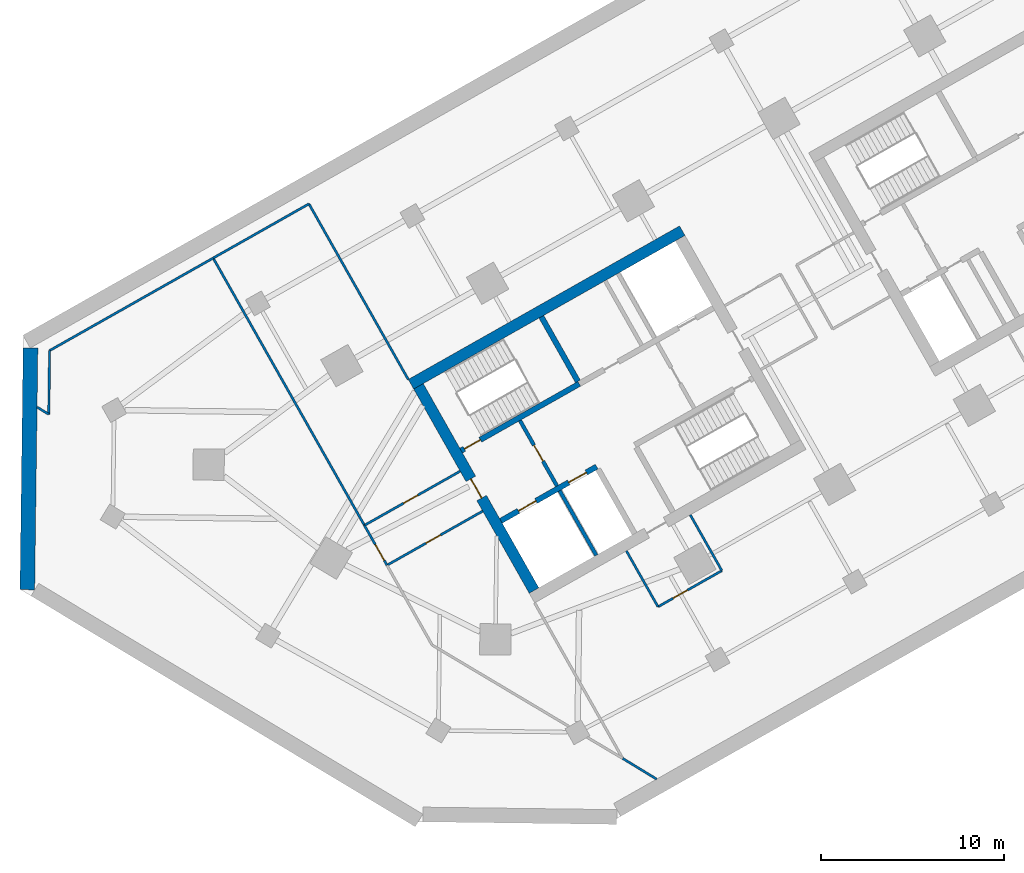
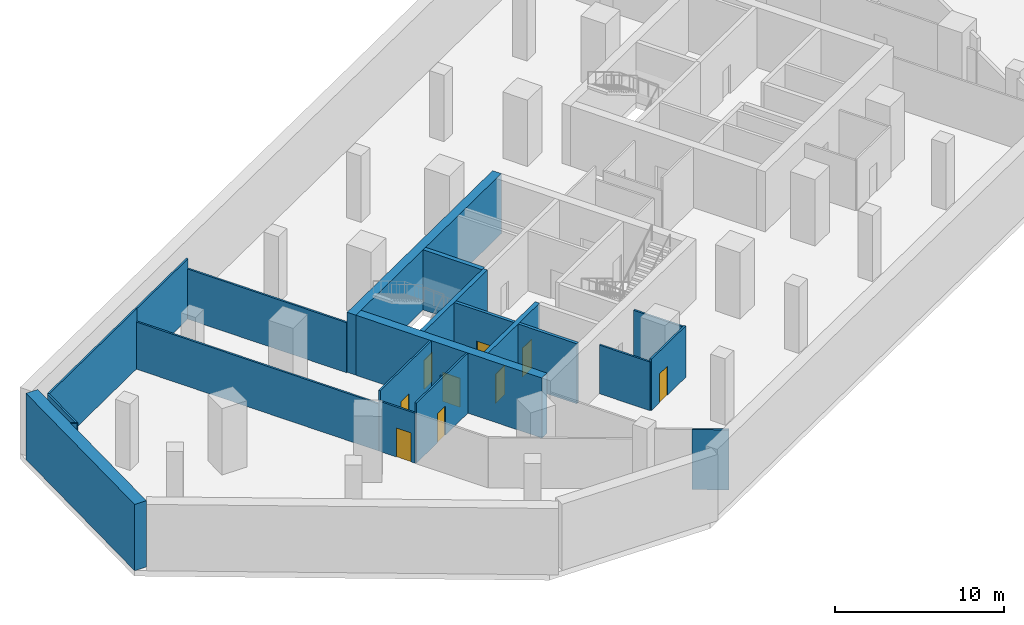
# One storey, part 5 of 13: 21 walls, 9 doors, 9 openings.
"""IFC4 building model written with IfcOpenShell, lengths in metres."""

from ifc_helpers import new_model, si_unit, direction, frame, frame_2d, origin, place, context, subcontext, project, spatial, rectangle, extrude, material, layer, layer_set, type_object, element, fill, save


model = new_model("IFC4")

# Units and contexts
model_context = context("Model", 3, precision=1e-05, world=origin(), true_north=direction((0.0, 1.0)))
body_context = subcontext(model_context, "Body", "Model", "MODEL_VIEW")
ifc_project = project(units=[si_unit("LENGTHUNIT", "METRE"), si_unit("AREAUNIT", "SQUARE_METRE"), si_unit("VOLUMEUNIT", "CUBIC_METRE"), si_unit("PLANEANGLEUNIT", "RADIAN"), si_unit("MASSUNIT", "GRAM", prefix="KILO")], contexts=[model_context])

# Site, building, storey
site_placement = place(None, origin())
site = spatial("IfcSite", under=ifc_project, at=site_placement, CompositionType="ELEMENT")
building_placement = place(site_placement, origin())
building = spatial("IfcBuilding", under=site, at=building_placement, Name="Binnacle Exchange Tower", CompositionType="ELEMENT")
storey_placement = place(building_placement, frame((0.0, 0.0, -4.800048828125)))
storey = spatial("IfcBuildingStorey", under=building, at=storey_placement, Name="B1", CompositionType="ELEMENT", Elevation=-4.800048828125)

# Wall
ifc_material_1 = material(Name="Concrete C40/50", Category="concrete")
ifc_layer_1 = layer(ifc_material_1, 0.800048828125)
ifc_layer_set_1 = layer_set([ifc_layer_1], Name="Basement retaining wall 800 Concrete C40/50")
wall_type_1 = type_object("IfcWallType", Name="Basement retaining wall 800 Concrete C40/50", PredefinedType="SOLIDWALL", material=ifc_layer_set_1)
wall_1_placement = place(storey_placement, frame((-67.210693359375, 43.383544921875, 0.0), z_axis=(0.0, 0.0, 1.0), x_axis=(-0.01309437996, -0.999914264931, 0.0)))
element("IfcWall", 1, at=wall_1_placement, inside=storey, type_object=wall_type_1, Name="S:RW:B1:05", PredefinedType="SOLIDWALL", context=body_context, shape_type="SweptSolid", body=[
    extrude(rectangle(XDim=13.181884765625, YDim=0.800048828125, at=frame_2d((6.5908203125, 0.0))), origin(), (0.0, 0.0, 1.0), 4.800048828125),
])

# Wall, openings, doors
ifc_material_2 = material(Name="Concrete C70/85", Category="concrete")
ifc_layer_2 = layer(ifc_material_2, 0.300048828125)
ifc_layer_set_2 = layer_set([ifc_layer_2], Name="Core wall - front 300")
wall_type_2 = type_object("IfcWallType", Name="Core wall - front 300", PredefinedType="SOLIDWALL", material=ifc_layer_set_2)
wall_2_placement = place(storey_placement, frame((-41.555908203125, 33.9609375, 0.0), z_axis=(0.0, 0.0, 1.0), x_axis=(0.870343731308, 0.492444706919, 0.0)))
wall_2 = element("IfcWall", 2, at=wall_2_placement, inside=storey, type_object=wall_type_2, Name="Core wall CRWA2", PredefinedType="SOLIDWALL", context=body_context, shape_type="SweptSolid", body=[
    extrude(rectangle(XDim=5.999755859375, YDim=0.300048828125, at=frame_2d((3.0, 0.0))), origin(), (0.0, 0.0, 1.0), 4.35009765625),
])
opening_1_placement = place(wall_2_placement, frame((1.099853515625, 0.0, 0.0)))
opening_1 = element("IfcOpeningElement", 3, at=opening_1_placement, cuts=wall_2, Name="Opening LD12", PredefinedType="OPENING", context=body_context, shape_type="SweptSolid", body=[
    extrude(rectangle(XDim=1.10009765625, YDim=2.10009765625, at=frame_2d((0.550048828125, 1.050048828125))), frame((0.0, 0.159912109375, 0.0), z_axis=(0.0, -1.0, 0.0), x_axis=(1.0, 0.0, 0.0)), (0.0, 0.0, 1.0), 0.320068359375),
])
opening_2_placement = place(wall_2_placement, frame((4.25, 0.0, 0.0)))
opening_2 = element("IfcOpeningElement", 4, at=opening_2_placement, cuts=wall_2, Name="Opening LD8", PredefinedType="OPENING", context=body_context, shape_type="SweptSolid", body=[
    extrude(rectangle(XDim=1.10009765625, YDim=2.10009765625, at=frame_2d((0.550048828125, 1.050048828125))), frame((0.0, 0.159912109375, 0.0), z_axis=(0.0, -1.0, 0.0), x_axis=(1.0, 0.0, 0.0)), (0.0, 0.0, 1.0), 0.320068359375),
])
ifc_material_3 = material(Name="Steel door leaf", Category="steel")
door_type_1 = type_object("IfcDoorType", Name="Fire door - lift landing 1100", OperationType="NOTDEFINED", PredefinedType="DOOR", material=ifc_material_3)
door_1_placement = place(opening_1_placement, origin())
door_1 = element("IfcDoor", 5, at=door_1_placement, inside=storey, type_object=door_type_1, Name="Landing door LD12 B1", OperationType="DOUBLE_DOOR_SLIDING", OverallHeight=2.10009765625, OverallWidth=1.10009765625, PredefinedType="DOOR", context=body_context, shape_type="SweptSolid", body=[
    extrude(rectangle(XDim=1.10009765625, YDim=2.10009765625, at=frame_2d((0.550048828125, 1.050048828125))), frame((0.0, 0.02490234375, 0.0), z_axis=(0.0, -1.0, 0.0), x_axis=(1.0, 0.0, 0.0)), (0.0, 0.0, 1.0), 0.050048828125),
])
fill(opening_1, door_1)
door_2_placement = place(opening_2_placement, origin())
door_2 = element("IfcDoor", 6, at=door_2_placement, inside=storey, type_object=door_type_1, Name="Landing door LD8 B1", OperationType="DOUBLE_DOOR_SLIDING", OverallHeight=2.10009765625, OverallWidth=1.10009765625, PredefinedType="DOOR", context=body_context, shape_type="SweptSolid", body=[
    extrude(rectangle(XDim=1.10009765625, YDim=2.10009765625, at=frame_2d((0.550048828125, 1.050048828125))), frame((0.0, 0.02490234375, 0.0), z_axis=(0.0, -1.0, 0.0), x_axis=(1.0, 0.0, 0.0)), (0.0, 0.0, 1.0), 0.050048828125),
])
fill(opening_2, door_2)

# Wall
ifc_layer_3 = layer(ifc_material_2, 0.60009765625)
ifc_layer_set_3 = layer_set([ifc_layer_3], Name="Core wall - outer 600")
wall_type_3 = type_object("IfcWallType", Name="Core wall - outer 600", PredefinedType="SOLIDWALL", material=ifc_layer_set_3)
wall_3_placement = place(storey_placement, frame((-46.460693359375, 41.41162109375, 0.0), z_axis=(0.0, 0.0, 1.0), x_axis=(0.870350116061, 0.492433422375, 0.0)))
element("IfcWall", 7, at=wall_3_placement, inside=storey, type_object=wall_type_3, Name="Core wall CRWA6", PredefinedType="SOLIDWALL", context=body_context, shape_type="SweptSolid", body=[
    extrude(rectangle(XDim=17.0, YDim=0.60009765625, at=frame_2d((8.5, 0.0))), origin(), (0.0, 0.0, 1.0), 4.35009765625),
])

# Wall, opening, door
wall_4_placement = place(storey_placement, frame((-46.052001953125, 41.29833984375, 0.0), z_axis=(0.0, 0.0, 1.0), x_axis=(0.492418598281, -0.870358503186, 0.0)))
wall_4 = element("IfcWall", 8, at=wall_4_placement, inside=storey, type_object=wall_type_3, Name="Core wall CRWA7", PredefinedType="SOLIDWALL", context=body_context, shape_type="SweptSolid", body=[
    extrude(rectangle(XDim=12.800048828125, YDim=0.60009765625, at=frame_2d((6.39990234375, 0.0))), origin(), (0.0, 0.0, 1.0), 4.35009765625),
])
opening_3_placement = place(wall_4_placement, frame((5.800048828125, 0.0, 0.0)))
opening_3 = element("IfcOpeningElement", 9, at=opening_3_placement, cuts=wall_4, Name="Opening DA5", PredefinedType="OPENING", context=body_context, shape_type="SweptSolid", body=[
    extrude(rectangle(XDim=1.199951171875, YDim=2.10009765625, at=frame_2d((0.60009765625, 1.050048828125))), frame((0.0, 0.31005859375, 0.0), z_axis=(0.0, -1.0, 0.0), x_axis=(1.0, 0.0, 0.0)), (0.0, 0.0, 1.0), 0.6201171875),
])
door_type_2 = type_object("IfcDoorType", Name="Fire door 1200", OperationType="NOTDEFINED", PredefinedType="DOOR", material=ifc_material_3)
door_3_placement = place(opening_3_placement, frame((1.199951171875, 0.0, 0.0), z_axis=(0.0, 0.0, 1.0), x_axis=(-1.0, 0.0, 0.0)))
door_3 = element("IfcDoor", 10, at=door_3_placement, inside=storey, type_object=door_type_2, Name="Vestibule exit door VEST-W", OperationType="SINGLE_SWING_LEFT", OverallHeight=2.10009765625, OverallWidth=1.199951171875, PredefinedType="DOOR", context=body_context, shape_type="SweptSolid", body=[
    extrude(rectangle(XDim=1.199951171875, YDim=2.10009765625, at=frame_2d((0.60009765625, 1.050048828125))), frame((0.0, 0.02490234375, 0.0), z_axis=(0.0, -1.0, 0.0), x_axis=(1.0, 0.0, 0.0)), (0.0, 0.0, 1.0), 0.050048828125),
])
fill(opening_3, door_3)

ifc_layer_4 = layer(ifc_material_2, 0.300048828125)
ifc_layer_set_4 = layer_set([ifc_layer_4], Name="Core wall - stair 300")
wall_type_4 = type_object("IfcWallType", Name="Core wall - stair 300", PredefinedType="SOLIDWALL", material=ifc_layer_set_4)
wall_5_placement = place(storey_placement, frame((-43.72265625, 37.79052734375, 0.0), z_axis=(0.0, 0.0, 1.0), x_axis=(0.87035077051, 0.49243226567, 0.0)))
wall_5 = element("IfcWall", 11, at=wall_5_placement, inside=storey, type_object=wall_type_4, Name="Core wall CRWA4", PredefinedType="SOLIDWALL", context=body_context, shape_type="SweptSolid", body=[
    extrude(rectangle(XDim=7.400146484375, YDim=0.300048828125, at=frame_2d((3.7001953125, 0.0))), origin(), (0.0, 0.0, 1.0), 4.35009765625),
])
opening_4_placement = place(wall_5_placement, frame((0.199951171875, 0.0, 0.0)))
opening_4 = element("IfcOpeningElement", 12, at=opening_4_placement, cuts=wall_5, Name="Opening DA1", PredefinedType="OPENING", context=body_context, shape_type="SweptSolid", body=[
    extrude(rectangle(XDim=1.0, YDim=2.10009765625, at=frame_2d((0.5, 1.050048828125))), frame((0.0, 0.159912109375, 0.0), z_axis=(0.0, -1.0, 0.0), x_axis=(1.0, 0.0, 0.0)), (0.0, 0.0, 1.0), 0.320068359375),
])
door_type_3 = type_object("IfcDoorType", Name="Fire door 1000", OperationType="NOTDEFINED", PredefinedType="DOOR", material=ifc_material_3)
door_4_placement = place(opening_4_placement, origin())
door_4 = element("IfcDoor", 13, at=door_4_placement, inside=storey, type_object=door_type_3, Name="Stair door ST-A1", OperationType="SINGLE_SWING_LEFT", OverallHeight=2.10009765625, OverallWidth=1.0, PredefinedType="DOOR", context=body_context, shape_type="SweptSolid", body=[
    extrude(rectangle(XDim=1.0, YDim=2.10009765625, at=frame_2d((0.5, 1.050048828125))), frame((0.0, 0.02490234375, 0.0), z_axis=(0.0, -1.0, 0.0), x_axis=(1.0, 0.0, 0.0)), (0.0, 0.0, 1.0), 0.050048828125),
])
fill(opening_4, door_4)

# Wall
wall_6_placement = place(storey_placement, frame((-39.350341796875, 45.090087890625, 0.0), z_axis=(0.0, 0.0, 1.0), x_axis=(0.49241474071, -0.870360685654, 0.0)))
element("IfcWall", 14, at=wall_6_placement, inside=storey, type_object=wall_type_4, Name="Core wall CRWA14", PredefinedType="SOLIDWALL", context=body_context, shape_type="SweptSolid", body=[
    extrude(rectangle(XDim=4.05029296875, YDim=0.300048828125, at=frame_2d((2.025146484375, 0.0))), origin(), (0.0, 0.0, 1.0), 4.35009765625),
])

# Wall, opening, door
ifc_material_4 = material(Name="Masonry block wall", Category="masonry")
ifc_layer_5 = layer(ifc_material_4, 0.199951171875)
ifc_layer_set_5 = layer_set([ifc_layer_5], Name="Fire wall - vestibule 200")
wall_type_5 = type_object("IfcWallType", Name="Fire wall - vestibule 200", PredefinedType="PARTITIONING", material=ifc_layer_set_5)
wall_7_placement = place(storey_placement, frame((-40.515625, 39.4326171875, 0.0), z_axis=(0.0, 0.0, 1.0), x_axis=(0.492453559952, -0.87033872216, 0.0)))
wall_7 = element("IfcWall", 15, at=wall_7_placement, inside=storey, type_object=wall_type_5, Name="Core wall CRWA10", PredefinedType="PARTITIONING", context=body_context, shape_type="SweptSolid", body=[
    extrude(rectangle(XDim=4.099853515625, YDim=0.199951171875, at=frame_2d((2.0498046875, 0.0))), origin(), (0.0, 0.0, 1.0), 4.35009765625),
])
opening_5_placement = place(wall_7_placement, frame((1.550048828125, 0.0, 0.0)))
opening_5 = element("IfcOpeningElement", 16, at=opening_5_placement, cuts=wall_7, Name="Opening DA3", PredefinedType="OPENING", context=body_context, shape_type="SweptSolid", body=[
    extrude(rectangle(XDim=1.0, YDim=2.10009765625, at=frame_2d((0.5, 1.050048828125))), frame((0.0, 0.10986328125, 0.0), z_axis=(0.0, -1.0, 0.0), x_axis=(1.0, 0.0, 0.0)), (0.0, 0.0, 1.0), 0.219970703125),
])
door_5_placement = place(opening_5_placement, frame((1.0, 0.0, 0.0), z_axis=(0.0, 0.0, 1.0), x_axis=(-1.0, 0.0, 0.0)))
door_5 = element("IfcDoor", 17, at=door_5_placement, inside=storey, type_object=door_type_3, Name="Vestibule door VEST-W", OperationType="SINGLE_SWING_LEFT", OverallHeight=2.10009765625, OverallWidth=1.0, PredefinedType="DOOR", context=body_context, shape_type="SweptSolid", body=[
    extrude(rectangle(XDim=1.0, YDim=2.10009765625, at=frame_2d((0.5, 1.050048828125))), frame((0.0, 0.02490234375, 0.0), z_axis=(0.0, -1.0, 0.0), x_axis=(1.0, 0.0, 0.0)), (0.0, 0.0, 1.0), 0.050048828125),
])
fill(opening_5, door_5)

# Walls
ifc_material_5 = material(Name="Gypsum partition")
ifc_layer_6 = layer(ifc_material_5, 0.125)
ifc_layer_set_6 = layer_set([ifc_layer_6], Name="Partition 125")
wall_type_6 = type_object("IfcWallType", Name="Partition 125", PredefinedType="PARTITIONING", material=ifc_layer_set_6)
wall_8_placement = place(storey_placement, frame((-66.85302734375, 40.162109375, 0.0), z_axis=(0.0, 0.0, 1.0), x_axis=(0.853467194178, -0.521146570996, 0.0)))
element("IfcWall", 18, at=wall_8_placement, inside=storey, type_object=wall_type_6, Name="Partition W01", PredefinedType="PARTITIONING", context=body_context, shape_type="SweptSolid", body=[
    extrude(rectangle(XDim=0.74853515625, YDim=0.125, at=frame_2d((0.374267578125, 0.0))), origin(), (0.0, 0.0, 1.0), 4.35009765625),
])
wall_9_placement = place(storey_placement, frame((-66.214111328125, 39.77197265625, 0.0), z_axis=(0.0, 0.0, 1.0), x_axis=(0.013284361201, 0.999911758981, 0.0)))
element("IfcWall", 19, at=wall_9_placement, inside=storey, type_object=wall_type_6, Name="Partition W02", PredefinedType="PARTITIONING", context=body_context, shape_type="SweptSolid", body=[
    extrude(rectangle(XDim=3.473388671875, YDim=0.125, at=frame_2d((1.73681640625, 0.0))), origin(), (0.0, 0.0, 1.0), 4.35009765625),
])
wall_10_placement = place(storey_placement, frame((-66.16796875, 43.2451171875, 0.0), z_axis=(0.0, 0.0, 1.0), x_axis=(0.870369347859, 0.492399429637, 0.0)))
element("IfcWall", 20, at=wall_10_placement, inside=storey, type_object=wall_type_6, Name="Partition W03", PredefinedType="PARTITIONING", context=body_context, shape_type="SweptSolid", body=[
    extrude(rectangle(XDim=10.24951171875, YDim=0.125, at=frame_2d((5.124755859375, 0.0))), origin(), (0.0, 0.0, 1.0), 4.35009765625),
])
wall_11_placement = place(storey_placement, frame((-57.2470703125, 48.2919921875, 0.0), z_axis=(0.0, 0.0, 1.0), x_axis=(0.870318719588, 0.492488909859, 0.0)))
element("IfcWall", 21, at=wall_11_placement, inside=storey, type_object=wall_type_6, Name="Partition W04", PredefinedType="PARTITIONING", context=body_context, shape_type="SweptSolid", body=[
    extrude(rectangle(XDim=6.000244140625, YDim=0.125, at=frame_2d((3.0, 0.0))), origin(), (0.0, 0.0, 1.0), 4.35009765625),
])
wall_12_placement = place(storey_placement, frame((-57.2470703125, 48.2919921875, 0.0), z_axis=(0.0, 0.0, 1.0), x_axis=(0.492436165614, -0.870348563965, 0.0)))
element("IfcWall", 22, at=wall_12_placement, inside=storey, type_object=wall_type_6, Name="Partition W05", PredefinedType="PARTITIONING", context=body_context, shape_type="SweptSolid", body=[
    extrude(rectangle(XDim=16.74951171875, YDim=0.125, at=frame_2d((8.374755859375, 0.0))), origin(), (0.0, 0.0, 1.0), 3.412109375),
])
wall_13_placement = place(storey_placement, frame((-52.02490234375, 51.2470703125, 0.0), z_axis=(0.0, 0.0, 1.0), x_axis=(0.492376827062, -0.870382134567, 0.0)))
element("IfcWall", 23, at=wall_13_placement, inside=storey, type_object=wall_type_6, Name="Partition W06", PredefinedType="PARTITIONING", context=body_context, shape_type="SweptSolid", body=[
    extrude(rectangle(XDim=10.999755859375, YDim=0.125, at=frame_2d((5.5, 0.0))), origin(), (0.0, 0.0, 1.0), 3.630126953125),
])

# Wall, opening, door
wall_14_placement = place(storey_placement, frame((-48.9990234375, 33.714111328125, 0.0), z_axis=(0.0, 0.0, 1.0), x_axis=(0.492369352746, -0.870386362759, 0.0)))
wall_14 = element("IfcWall", 24, at=wall_14_placement, inside=storey, type_object=wall_type_6, Name="Partition W07", PredefinedType="PARTITIONING", context=body_context, shape_type="SweptSolid", body=[
    extrude(rectangle(XDim=2.5, YDim=0.125, at=frame_2d((1.25, 0.0))), origin(), (0.0, 0.0, 1.0), 3.6220703125),
])
opening_6_placement = place(wall_14_placement, frame((1.199951171875, 0.0, 0.0)))
opening_6 = element("IfcOpeningElement", 25, at=opening_6_placement, cuts=wall_14, Name="Opening DB1-07", PredefinedType="OPENING", context=body_context, shape_type="SweptSolid", body=[
    extrude(rectangle(XDim=1.0, YDim=2.10009765625, at=frame_2d((0.5, 1.050048828125))), frame((0.0, 0.072509765625, 0.0), z_axis=(0.0, -1.0, 0.0), x_axis=(1.0, 0.0, 0.0)), (0.0, 0.0, 1.0), 0.14501953125),
])
ifc_material_6 = material(Name="Timber door leaf", Category="wood")
door_type_4 = type_object("IfcDoorType", Name="Door 1000", OperationType="NOTDEFINED", PredefinedType="DOOR", material=ifc_material_6)
door_6_placement = place(opening_6_placement, frame((1.0, 0.0, 0.0), z_axis=(0.0, 0.0, 1.0), x_axis=(-1.0, 0.0, 0.0)))
door_6 = element("IfcDoor", 26, at=door_6_placement, inside=storey, type_object=door_type_4, Name="Door DB1-07", OperationType="SINGLE_SWING_LEFT", OverallHeight=2.10009765625, OverallWidth=1.0, PredefinedType="DOOR", context=body_context, shape_type="SweptSolid", body=[
    extrude(rectangle(XDim=1.0, YDim=2.10009765625, at=frame_2d((0.5, 1.050048828125))), frame((0.0, 0.02490234375, 0.0), z_axis=(0.0, -1.0, 0.0), x_axis=(1.0, 0.0, 0.0)), (0.0, 0.0, 1.0), 0.050048828125),
])
fill(opening_6, door_6)

wall_15_placement = place(storey_placement, frame((-48.9990234375, 33.714111328125, 0.0), z_axis=(0.0, 0.0, 1.0), x_axis=(0.870396049796, 0.492352228084, 0.0)))
wall_15 = element("IfcWall", 27, at=wall_15_placement, inside=storey, type_object=wall_type_6, Name="Partition W08", PredefinedType="PARTITIONING", context=body_context, shape_type="SweptSolid", body=[
    extrude(rectangle(XDim=5.99951171875, YDim=0.125, at=frame_2d((2.999755859375, 0.0))), origin(), (0.0, 0.0, 1.0), 4.35009765625),
])
opening_7_placement = place(wall_15_placement, frame((2.449951171875, 0.0, 0.0)))
opening_7 = element("IfcOpeningElement", 28, at=opening_7_placement, cuts=wall_15, Name="Opening DB1-05", PredefinedType="OPENING", context=body_context, shape_type="SweptSolid", body=[
    extrude(rectangle(XDim=0.89990234375, YDim=2.10009765625, at=frame_2d((0.449951171875, 1.050048828125))), frame((0.0, 0.072509765625, 0.0), z_axis=(0.0, -1.0, 0.0), x_axis=(1.0, 0.0, 0.0)), (0.0, 0.0, 1.0), 0.14501953125),
])
door_type_5 = type_object("IfcDoorType", Name="Door 900", OperationType="NOTDEFINED", PredefinedType="DOOR", material=ifc_material_6)
door_7_placement = place(opening_7_placement, origin())
door_7 = element("IfcDoor", 29, at=door_7_placement, inside=storey, type_object=door_type_5, Name="Door DB1-05", OperationType="SINGLE_SWING_LEFT", OverallHeight=2.10009765625, OverallWidth=0.89990234375, PredefinedType="DOOR", context=body_context, shape_type="SweptSolid", body=[
    extrude(rectangle(XDim=0.89990234375, YDim=2.10009765625, at=frame_2d((0.449951171875, 1.050048828125))), frame((0.0, 0.02490234375, 0.0), z_axis=(0.0, -1.0, 0.0), x_axis=(1.0, 0.0, 0.0)), (0.0, 0.0, 1.0), 0.050048828125),
])
fill(opening_7, door_7)

wall_16_placement = place(storey_placement, frame((-47.76806640625, 31.5380859375, 0.0), z_axis=(0.0, 0.0, 1.0), x_axis=(0.870405913844, 0.492334789696, 0.0)))
wall_16 = element("IfcWall", 30, at=wall_16_placement, inside=storey, type_object=wall_type_6, Name="Partition W10", PredefinedType="PARTITIONING", context=body_context, shape_type="SweptSolid", body=[
    extrude(rectangle(XDim=5.999755859375, YDim=0.125, at=frame_2d((3.0, 0.0))), origin(), (0.0, 0.0, 1.0), 4.35009765625),
])
opening_8_placement = place(wall_16_placement, frame((2.449951171875, 0.0, 0.0)))
opening_8 = element("IfcOpeningElement", 31, at=opening_8_placement, cuts=wall_16, Name="Opening DB1-06", PredefinedType="OPENING", context=body_context, shape_type="SweptSolid", body=[
    extrude(rectangle(XDim=0.89990234375, YDim=2.10009765625, at=frame_2d((0.449951171875, 1.050048828125))), frame((0.0, 0.072509765625, 0.0), z_axis=(0.0, -1.0, 0.0), x_axis=(1.0, 0.0, 0.0)), (0.0, 0.0, 1.0), 0.14501953125),
])
door_8_placement = place(opening_8_placement, frame((0.89990234375, 0.0, 0.0), z_axis=(0.0, 0.0, 1.0), x_axis=(-1.0, 0.0, 0.0)))
door_8 = element("IfcDoor", 32, at=door_8_placement, inside=storey, type_object=door_type_5, Name="Door DB1-06", OperationType="SINGLE_SWING_RIGHT", OverallHeight=2.10009765625, OverallWidth=0.89990234375, PredefinedType="DOOR", context=body_context, shape_type="SweptSolid", body=[
    extrude(rectangle(XDim=0.89990234375, YDim=2.10009765625, at=frame_2d((0.449951171875, 1.050048828125))), frame((0.0, 0.02490234375, 0.0), z_axis=(0.0, -1.0, 0.0), x_axis=(1.0, 0.0, 0.0)), (0.0, 0.0, 1.0), 0.050048828125),
])
fill(opening_8, door_8)

# Walls
wall_17_placement = place(storey_placement, frame((-34.9130859375, 21.001953125, 0.0), z_axis=(0.0, 0.0, 1.0), x_axis=(0.853754667267, -0.520675492145, 0.0)))
element("IfcWall", 33, at=wall_17_placement, inside=storey, type_object=wall_type_6, Name="Partition W14", PredefinedType="PARTITIONING", context=body_context, shape_type="SweptSolid", body=[
    extrude(rectangle(XDim=2.168212890625, YDim=0.125, at=frame_2d((1.083984375, 0.0))), origin(), (0.0, 0.0, 1.0), 4.35009765625),
])
wall_18_placement = place(storey_placement, frame((-34.7099609375, 32.319091796875, 0.0), z_axis=(0.0, 0.0, 1.0), x_axis=(0.492310098002, -0.870419879946, 0.0)))
element("IfcWall", 34, at=wall_18_placement, inside=storey, type_object=wall_type_6, Name="Partition W15", PredefinedType="PARTITIONING", context=body_context, shape_type="SweptSolid", body=[
    extrude(rectangle(XDim=3.49951171875, YDim=0.125, at=frame_2d((1.749755859375, 0.0))), origin(), (0.0, 0.0, 1.0), 3.52197265625),
])

# Wall, opening, door
wall_19_placement = place(storey_placement, frame((-32.987060546875, 29.27294921875, 0.0), z_axis=(0.0, 0.0, 1.0), x_axis=(0.87037183571, 0.492395032065, 0.0)))
wall_19 = element("IfcWall", 35, at=wall_19_placement, inside=storey, type_object=wall_type_6, Name="Partition W16", PredefinedType="PARTITIONING", context=body_context, shape_type="SweptSolid", body=[
    extrude(rectangle(XDim=4.000732421875, YDim=0.125, at=frame_2d((2.00048828125, 0.0))), origin(), (0.0, 0.0, 1.0), 3.72412109375),
])
opening_9_placement = place(wall_19_placement, frame((0.949951171875, 0.0, 0.0)))
opening_9 = element("IfcOpeningElement", 36, at=opening_9_placement, cuts=wall_19, Name="Opening DB1-02", PredefinedType="OPENING", context=body_context, shape_type="SweptSolid", body=[
    extrude(rectangle(XDim=0.89990234375, YDim=2.10009765625, at=frame_2d((0.449951171875, 1.050048828125))), frame((0.0, 0.072509765625, 0.0), z_axis=(0.0, -1.0, 0.0), x_axis=(1.0, 0.0, 0.0)), (0.0, 0.0, 1.0), 0.14501953125),
])
door_9_placement = place(opening_9_placement, origin())
door_9 = element("IfcDoor", 37, at=door_9_placement, inside=storey, type_object=door_type_5, Name="Door DB1-02", OperationType="SINGLE_SWING_LEFT", OverallHeight=2.10009765625, OverallWidth=0.89990234375, PredefinedType="DOOR", context=body_context, shape_type="SweptSolid", body=[
    extrude(rectangle(XDim=0.89990234375, YDim=2.10009765625, at=frame_2d((0.449951171875, 1.050048828125))), frame((0.0, 0.02490234375, 0.0), z_axis=(0.0, -1.0, 0.0), x_axis=(1.0, 0.0, 0.0)), (0.0, 0.0, 1.0), 0.050048828125),
])
fill(opening_9, door_9)

# Walls
wall_20_placement = place(storey_placement, frame((-31.22900390625, 34.2890625, 0.0), z_axis=(0.0, 0.0, 1.0), x_axis=(0.492574298942, -0.870270394775, 0.0)))
element("IfcWall", 38, at=wall_20_placement, inside=storey, type_object=wall_type_6, Name="Partition W17", PredefinedType="PARTITIONING", context=body_context, shape_type="SweptSolid", body=[
    extrude(rectangle(XDim=3.500244140625, YDim=0.125, at=frame_2d((1.75, 0.0))), origin(), (0.0, 0.0, 1.0), 3.630126953125),
])
ifc_layer_7 = layer(ifc_material_4, 0.199951171875)
ifc_layer_set_7 = layer_set([ifc_layer_7], Name="Shaft wall 200")
wall_type_7 = type_object("IfcWallType", Name="Shaft wall 200", PredefinedType="SOLIDWALL", material=ifc_layer_set_7)
wall_21_placement = place(storey_placement, frame((-38.348876953125, 35.603271484375, 0.0), z_axis=(0.0, 0.0, 1.0), x_axis=(0.49241474071, -0.870360685654, 0.0)))
element("IfcWall", 39, at=wall_21_placement, inside=storey, type_object=wall_type_7, Name="Core wall CRWA9", PredefinedType="SOLIDWALL", context=body_context, shape_type="SweptSolid", body=[
    extrude(rectangle(XDim=4.05029296875, YDim=0.199951171875, at=frame_2d((2.025146484375, 0.0))), origin(), (0.0, 0.0, 1.0), 4.35009765625),
])

save(model, "model.ifc")
